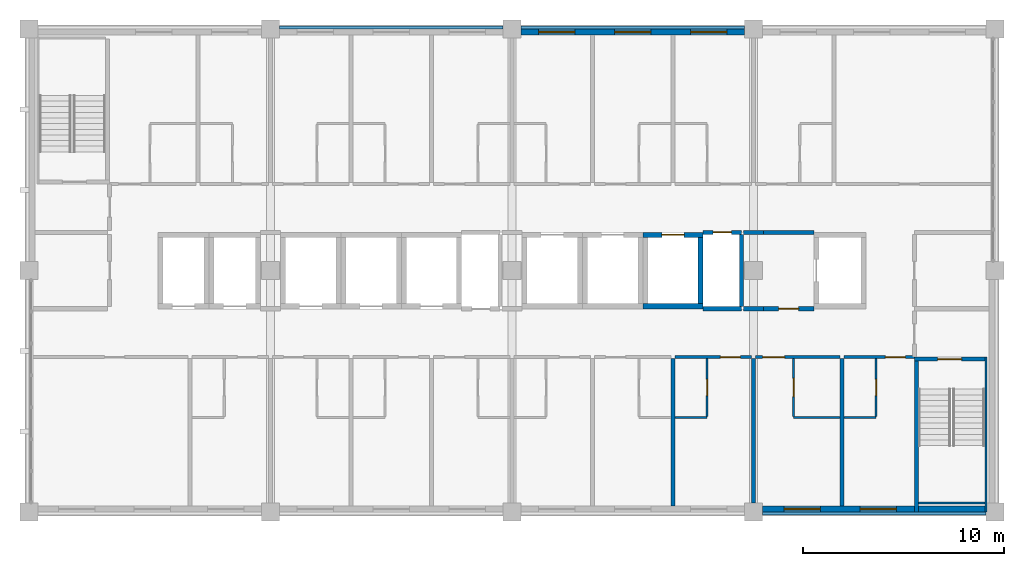
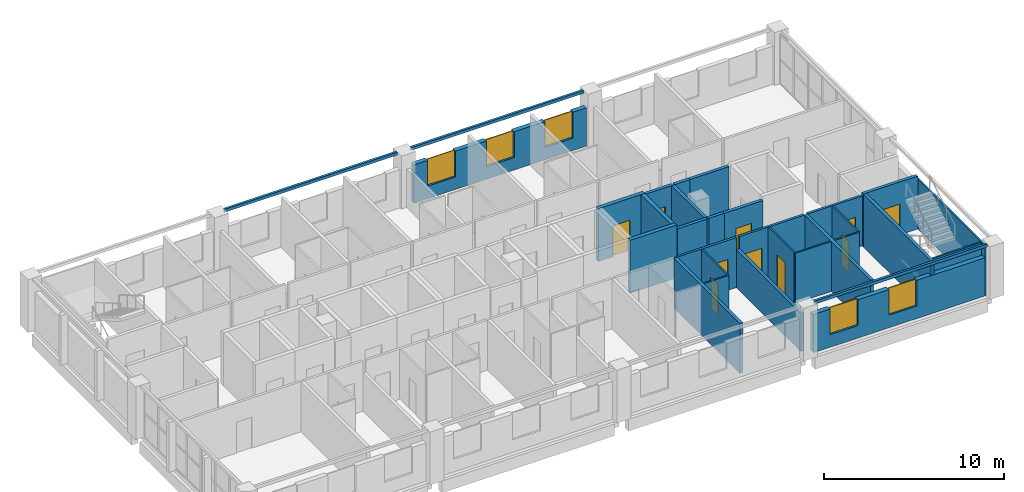
# One storey, part 9 of 11: 31 walls, 10 doors, 5 windows, 15 openings.
"""IFC4 building model written with IfcOpenShell, lengths in metres."""

from ifc_helpers import new_model, si_unit, direction, frame, frame_2d, origin, place, context, subcontext, project, spatial, rectangle, extrude, material, layer, layer_set, type_object, element, fill, save


model = new_model("IFC4")

# Units and contexts
model_context = context("Model", 3, precision=1e-05, world=origin(), true_north=direction((0.0, 1.0)))
body_context = subcontext(model_context, "Body", "Model", "MODEL_VIEW")
ifc_project = project(units=[si_unit("LENGTHUNIT", "METRE"), si_unit("AREAUNIT", "SQUARE_METRE"), si_unit("VOLUMEUNIT", "CUBIC_METRE"), si_unit("PLANEANGLEUNIT", "RADIAN"), si_unit("MASSUNIT", "GRAM", prefix="KILO")], contexts=[model_context])

# Site, building, storey
site_placement = place(None, origin())
site = spatial("IfcSite", under=ifc_project, at=site_placement, CompositionType="ELEMENT")
building_placement = place(site_placement, origin())
building = spatial("IfcBuilding", under=site, at=building_placement, Name="Lilac Gate Convention Centre", CompositionType="ELEMENT")
storey_placement = place(building_placement, frame((0.0, 0.0, 24.60009765625)))
storey = spatial("IfcBuildingStorey", under=building, at=storey_placement, Name="L05", CompositionType="ELEMENT", Elevation=24.60009765625)

# Walls
ifc_material_1 = material(Name="Concrete C60", Category="concrete")
ifc_layer_1 = layer(ifc_material_1, 0.10009765625)
ifc_layer_set_1 = layer_set([ifc_layer_1], Name="Concrete C60")
wall_type_1 = type_object("IfcWallType", Name="Core wall 100 C60", PredefinedType="SHEAR", material=ifc_layer_set_1)
wall_1_placement = place(storey_placement, frame((89.550048828125, 229.699951171875, 0.0), z_axis=(0.0, 0.0, 1.0), x_axis=(0.0, -1.0, 0.0)))
element("IfcWall", 1, at=wall_1_placement, inside=storey, type_object=wall_type_1, Name="CRW8 core wall TS-EX L05 1", PredefinedType="SHEAR", context=body_context, shape_type="SweptSolid", body=[
    extrude(rectangle(XDim=7.699951171875, YDim=0.10009765625, at=frame_2d((3.85009765625, 0.0))), origin(), (0.0, 0.0, 1.0), 3.39990234375),
])
wall_2_placement = place(storey_placement, frame((89.5, 222.449951171875, 0.0), z_axis=(0.0, 0.0, 1.0), x_axis=(-1.0, 0.0, 0.0)))
element("IfcWall", 2, at=wall_2_placement, inside=storey, type_object=wall_type_1, Name="CRW8 core wall TS-EX L05 2", PredefinedType="SHEAR", context=body_context, shape_type="SweptSolid", body=[
    extrude(rectangle(XDim=3.300048828125, YDim=0.10009765625, at=frame_2d((1.64990234375, 0.0))), origin(), (0.0, 0.0, 1.0), 3.39990234375),
])

# Wall, opening, door
ifc_layer_2 = layer(ifc_material_1, 0.199951171875)
ifc_layer_set_2 = layer_set([ifc_layer_2], Name="Concrete C60")
wall_type_2 = type_object("IfcWallType", Name="Core wall 200 C60", PredefinedType="SHEAR", material=ifc_layer_set_2)
wall_3_placement = place(storey_placement, frame((89.5, 229.60009765625, 0.0), z_axis=(0.0, 0.0, 1.0), x_axis=(-1.0, 0.0, 0.0)))
wall_3 = element("IfcWall", 3, at=wall_3_placement, inside=storey, type_object=wall_type_2, Name="CRW2 core wall TS-E L05 1", PredefinedType="SHEAR", context=body_context, shape_type="SweptSolid", body=[
    extrude(rectangle(XDim=3.5, YDim=0.199951171875, at=frame_2d((1.75, 0.0))), origin(), (0.0, 0.0, 1.0), 3.599853515625),
])
opening_1_placement = place(wall_3_placement, frame((1.14990234375, 0.0, 0.0)))
opening_1 = element("IfcOpeningElement", 4, at=opening_1_placement, cuts=wall_3, Name="Opening T04-056", PredefinedType="OPENING", context=body_context, shape_type="SweptSolid", body=[
    extrude(rectangle(XDim=1.199951171875, YDim=2.10009765625, at=frame_2d((0.60009765625, 1.050048828125))), frame((0.0, 0.10986328125, 0.0), z_axis=(0.0, -1.0, 0.0), x_axis=(1.0, 0.0, 0.0)), (0.0, 0.0, 1.0), 0.219970703125),
])
ifc_material_2 = material(Name="Steel Q235B", Category="steel")
door_type_1 = type_object("IfcDoorType", Name="Stair door 1200", OperationType="SINGLE_SWING_LEFT", PredefinedType="DOOR", material=ifc_material_2)
door_1_placement = place(opening_1_placement, origin())
door_1 = element("IfcDoor", 5, at=door_1_placement, inside=storey, type_object=door_type_1, Name="Stair door SE L05", OperationType="SINGLE_SWING_RIGHT", OverallHeight=2.10009765625, OverallWidth=1.199951171875, PredefinedType="DOOR", context=body_context, shape_type="SweptSolid", body=[
    extrude(rectangle(XDim=1.199951171875, YDim=2.10009765625, at=frame_2d((0.60009765625, 1.050048828125))), frame((0.0, 0.02490234375, 0.0), z_axis=(0.0, -1.0, 0.0), x_axis=(1.0, 0.0, 0.0)), (0.0, 0.0, 1.0), 0.050048828125),
])
fill(opening_1, door_1)

# Walls
wall_4_placement = place(storey_placement, frame((86.10009765625, 222.0, 0.0), z_axis=(0.0, 0.0, 1.0), x_axis=(0.0, 1.0, 0.0)))
element("IfcWall", 6, at=wall_4_placement, inside=storey, type_object=wall_type_2, Name="CRW2 core wall TS-E L05 2", PredefinedType="SHEAR", context=body_context, shape_type="SweptSolid", body=[
    extrude(rectangle(XDim=7.5, YDim=0.199951171875, at=frame_2d((3.75, 0.0))), origin(), (0.0, 0.0, 1.0), 3.599853515625),
])
ifc_layer_3 = layer(ifc_material_1, 0.25)
ifc_layer_set_3 = layer_set([ifc_layer_3], Name="Concrete C60")
wall_type_3 = type_object("IfcWallType", Name="Core wall 250 C60", PredefinedType="SHEAR", material=ifc_layer_set_3)
wall_5_placement = place(storey_placement, frame((72.5, 232.22509765625, 0.0), z_axis=(0.0, 0.0, 1.0), x_axis=(1.0, 0.0, 0.0)))
element("IfcWall", 7, at=wall_5_placement, inside=storey, type_object=wall_type_3, Name="CRW3 core wall TC L05 21", PredefinedType="SHEAR", context=body_context, shape_type="SweptSolid", body=[
    extrude(rectangle(XDim=3.0, YDim=0.25, at=frame_2d((1.5, 0.0))), origin(), (0.0, 0.0, 1.0), 3.599853515625),
])

# Wall, opening, door
wall_6_placement = place(storey_placement, frame((72.5, 235.77490234375, 0.0), z_axis=(0.0, 0.0, 1.0), x_axis=(1.0, 0.0, 0.0)))
wall_6 = element("IfcWall", 8, at=wall_6_placement, inside=storey, type_object=wall_type_3, Name="CRW3 core wall TC L05 22", PredefinedType="SHEAR", context=body_context, shape_type="SweptSolid", body=[
    extrude(rectangle(XDim=3.0, YDim=0.25, at=frame_2d((1.5, 0.0))), origin(), (0.0, 0.0, 1.0), 3.599853515625),
])
opening_2_placement = place(wall_6_placement, frame((0.949951171875, 0.0, 0.0)))
opening_2 = element("IfcOpeningElement", 9, at=opening_2_placement, cuts=wall_6, Name="Opening T04-051", PredefinedType="OPENING", context=body_context, shape_type="SweptSolid", body=[
    extrude(rectangle(XDim=1.10009765625, YDim=2.10009765625, at=frame_2d((0.550048828125, 1.050048828125))), frame((0.0, 0.135009765625, 0.0), z_axis=(0.0, -1.0, 0.0), x_axis=(1.0, 0.0, 0.0)), (0.0, 0.0, 1.0), 0.27001953125),
])
ifc_material_3 = material(Name="Stainless steel 304", Category="steel")
door_type_2 = type_object("IfcDoorType", Name="Lift landing door 1100", OperationType="SLIDING_TO_LEFT", PredefinedType="DOOR", material=ifc_material_3)
door_2_placement = place(opening_2_placement, origin())
door_2 = element("IfcDoor", 10, at=door_2_placement, inside=storey, type_object=door_type_2, Name="Lift landing door TP6 L05", OperationType="SLIDING_TO_LEFT", OverallHeight=2.10009765625, OverallWidth=1.10009765625, PredefinedType="DOOR", context=body_context, shape_type="SweptSolid", body=[
    extrude(rectangle(XDim=1.10009765625, YDim=2.10009765625, at=frame_2d((0.550048828125, 1.050048828125))), frame((0.0, 0.02490234375, 0.0), z_axis=(0.0, -1.0, 0.0), x_axis=(1.0, 0.0, 0.0)), (0.0, 0.0, 1.0), 0.050048828125),
])
fill(opening_2, door_2)

# Wall
wall_7_placement = place(storey_placement, frame((75.375, 232.35009765625, 0.0), z_axis=(0.0, 0.0, 1.0), x_axis=(0.0, 1.0, 0.0)))
element("IfcWall", 11, at=wall_7_placement, inside=storey, type_object=wall_type_3, Name="CRW3 core wall TC L05 24", PredefinedType="SHEAR", context=body_context, shape_type="SweptSolid", body=[
    extrude(rectangle(XDim=3.2998046875, YDim=0.25, at=frame_2d((1.64990234375, 0.0))), origin(), (0.0, 0.0, 1.0), 3.599853515625),
])

# Wall, opening, door
ifc_material_4 = material(Name="Gypsum board on steel stud", Category="steel")
ifc_layer_4 = layer(ifc_material_4, 0.14990234375)
ifc_layer_set_4 = layer_set([ifc_layer_4], Name="Gypsum board on steel stud")
wall_type_4 = type_object("IfcWallType", Name="Corridor wall 150", PredefinedType="PARTITIONING", material=ifc_layer_set_4)
wall_8_placement = place(storey_placement, frame((77.89990234375, 229.699951171875, 0.0), z_axis=(0.0, 0.0, 1.0), x_axis=(-1.0, 0.0, 0.0)))
wall_8 = element("IfcWall", 12, at=wall_8_placement, inside=storey, type_object=wall_type_4, Name="Corridor wall 150 front 0508", PredefinedType="PARTITIONING", context=body_context, shape_type="SweptSolid", body=[
    extrude(rectangle(XDim=3.7998046875, YDim=0.14990234375, at=frame_2d((1.89990234375, 0.0))), origin(), (0.0, 0.0, 1.0), 3.39990234375),
])
opening_3_placement = place(wall_8_placement, frame((0.550048828125, 0.0, 0.0)))
opening_3 = element("IfcOpeningElement", 13, at=opening_3_placement, cuts=wall_8, Name="Opening T04-021", PredefinedType="OPENING", context=body_context, shape_type="SweptSolid", body=[
    extrude(rectangle(XDim=1.0, YDim=2.10009765625, at=frame_2d((0.5, 1.050048828125))), frame((0.0, 0.0849609375, 0.0), z_axis=(0.0, -1.0, 0.0), x_axis=(1.0, 0.0, 0.0)), (0.0, 0.0, 1.0), 0.169921875),
])
ifc_material_5 = material(Name="Timber", Category="wood")
door_type_3 = type_object("IfcDoorType", Name="Guest room entrance door 1000", OperationType="SINGLE_SWING_LEFT", PredefinedType="DOOR", material=ifc_material_5)
door_3_placement = place(opening_3_placement, origin())
door_3 = element("IfcDoor", 14, at=door_3_placement, inside=storey, type_object=door_type_3, Name="Guest room door 0508", OperationType="SINGLE_SWING_LEFT", OverallHeight=2.10009765625, OverallWidth=1.0, PredefinedType="DOOR", context=body_context, shape_type="SweptSolid", body=[
    extrude(rectangle(XDim=1.0, YDim=2.10009765625, at=frame_2d((0.5, 1.050048828125))), frame((0.0, 0.02490234375, 0.0), z_axis=(0.0, -1.0, 0.0), x_axis=(1.0, 0.0, 0.0)), (0.0, 0.0, 1.0), 0.050048828125),
])
fill(opening_3, door_3)

wall_9_placement = place(storey_placement, frame((82.300048828125, 229.699951171875, 0.0), z_axis=(0.0, 0.0, 1.0), x_axis=(-1.0, 0.0, 0.0)))
wall_9 = element("IfcWall", 15, at=wall_9_placement, inside=storey, type_object=wall_type_4, Name="Corridor wall 150 front 0509", PredefinedType="PARTITIONING", context=body_context, shape_type="SweptSolid", body=[
    extrude(rectangle(XDim=4.199951171875, YDim=0.14990234375, at=frame_2d((2.10009765625, 0.0))), origin(), (0.0, 0.0, 1.0), 3.39990234375),
])
opening_4_placement = place(wall_9_placement, frame((2.75, 0.0, 0.0)))
opening_4 = element("IfcOpeningElement", 16, at=opening_4_placement, cuts=wall_9, Name="Opening T04-023", PredefinedType="OPENING", context=body_context, shape_type="SweptSolid", body=[
    extrude(rectangle(XDim=1.10009765625, YDim=2.10009765625, at=frame_2d((0.550048828125, 1.050048828125))), frame((0.0, 0.0849609375, 0.0), z_axis=(0.0, -1.0, 0.0), x_axis=(1.0, 0.0, 0.0)), (0.0, 0.0, 1.0), 0.169921875),
])
door_type_4 = type_object("IfcDoorType", Name="Accessible entrance door 1100", OperationType="SINGLE_SWING_LEFT", PredefinedType="DOOR", material=ifc_material_5)
door_4_placement = place(opening_4_placement, origin())
door_4 = element("IfcDoor", 17, at=door_4_placement, inside=storey, type_object=door_type_4, Name="Guest room door 0509", OperationType="SINGLE_SWING_RIGHT", OverallHeight=2.10009765625, OverallWidth=1.10009765625, PredefinedType="DOOR", context=body_context, shape_type="SweptSolid", body=[
    extrude(rectangle(XDim=1.10009765625, YDim=2.10009765625, at=frame_2d((0.550048828125, 1.050048828125))), frame((0.0, 0.02490234375, 0.0), z_axis=(0.0, -1.0, 0.0), x_axis=(1.0, 0.0, 0.0)), (0.0, 0.0, 1.0), 0.050048828125),
])
fill(opening_4, door_4)

wall_10_placement = place(storey_placement, frame((86.0, 229.699951171875, 0.0), z_axis=(0.0, 0.0, 1.0), x_axis=(-1.0, 0.0, 0.0)))
wall_10 = element("IfcWall", 18, at=wall_10_placement, inside=storey, type_object=wall_type_4, Name="Corridor wall 150 front 0510", PredefinedType="PARTITIONING", context=body_context, shape_type="SweptSolid", body=[
    extrude(rectangle(XDim=3.5, YDim=0.14990234375, at=frame_2d((1.75, 0.0))), origin(), (0.0, 0.0, 1.0), 3.39990234375),
])
opening_5_placement = place(wall_10_placement, frame((0.449951171875, 0.0, 0.0)))
opening_5 = element("IfcOpeningElement", 19, at=opening_5_placement, cuts=wall_10, Name="Opening T04-025", PredefinedType="OPENING", context=body_context, shape_type="SweptSolid", body=[
    extrude(rectangle(XDim=1.0, YDim=2.10009765625, at=frame_2d((0.5, 1.050048828125))), frame((0.0, 0.0849609375, 0.0), z_axis=(0.0, -1.0, 0.0), x_axis=(1.0, 0.0, 0.0)), (0.0, 0.0, 1.0), 0.169921875),
])
door_5_placement = place(opening_5_placement, origin())
door_5 = element("IfcDoor", 20, at=door_5_placement, inside=storey, type_object=door_type_3, Name="Guest room door 0510", OperationType="SINGLE_SWING_LEFT", OverallHeight=2.10009765625, OverallWidth=1.0, PredefinedType="DOOR", context=body_context, shape_type="SweptSolid", body=[
    extrude(rectangle(XDim=1.0, YDim=2.10009765625, at=frame_2d((0.5, 1.050048828125))), frame((0.0, 0.02490234375, 0.0), z_axis=(0.0, -1.0, 0.0), x_axis=(1.0, 0.0, 0.0)), (0.0, 0.0, 1.0), 0.050048828125),
])
fill(opening_5, door_5)

# Wall
ifc_layer_5 = layer(ifc_material_4, 0.10009765625)
ifc_layer_set_5 = layer_set([ifc_layer_5], Name="Gypsum board on steel stud")
wall_type_5 = type_object("IfcWallType", Name="En-suite wall 100", PredefinedType="PARTITIONING", material=ifc_layer_set_5)
wall_11_placement = place(storey_placement, frame((74.10009765625, 226.699951171875, 0.0), z_axis=(0.0, 0.0, 1.0), x_axis=(1.0, 0.0, 0.0)))
element("IfcWall", 21, at=wall_11_placement, inside=storey, type_object=wall_type_5, Name="En-suite wall 100 bath 0508", PredefinedType="PARTITIONING", context=body_context, shape_type="SweptSolid", body=[
    extrude(rectangle(XDim=1.599853515625, YDim=0.10009765625, at=frame_2d((0.7998046875, 0.0))), origin(), (0.0, 0.0, 1.0), 3.39990234375),
])

# Wall, opening, door
wall_12_placement = place(storey_placement, frame((75.699951171875, 229.625, 0.0), z_axis=(0.0, 0.0, 1.0), x_axis=(0.0, -1.0, 0.0)))
wall_12 = element("IfcWall", 22, at=wall_12_placement, inside=storey, type_object=wall_type_5, Name="En-suite wall 100 bath side 0508", PredefinedType="PARTITIONING", context=body_context, shape_type="SweptSolid", body=[
    extrude(rectangle(XDim=2.875, YDim=0.10009765625, at=frame_2d((1.4375, 0.0))), origin(), (0.0, 0.0, 1.0), 3.39990234375),
])
opening_6_placement = place(wall_12_placement, frame((1.03759765625, 0.0, 0.0)))
opening_6 = element("IfcOpeningElement", 23, at=opening_6_placement, cuts=wall_12, Name="Opening T04-022", PredefinedType="OPENING", context=body_context, shape_type="SweptSolid", body=[
    extrude(rectangle(XDim=0.800048828125, YDim=2.10009765625, at=frame_2d((0.39990234375, 1.050048828125))), frame((0.0, 0.06005859375, 0.0), z_axis=(0.0, -1.0, 0.0), x_axis=(1.0, 0.0, 0.0)), (0.0, 0.0, 1.0), 0.1201171875),
])
door_type_5 = type_object("IfcDoorType", Name="En-suite door 800", OperationType="SINGLE_SWING_LEFT", PredefinedType="DOOR", material=ifc_material_5)
door_6_placement = place(opening_6_placement, origin())
door_6 = element("IfcDoor", 24, at=door_6_placement, inside=storey, type_object=door_type_5, Name="En-suite door 0508", OperationType="SINGLE_SWING_LEFT", OverallHeight=2.10009765625, OverallWidth=0.800048828125, PredefinedType="DOOR", context=body_context, shape_type="SweptSolid", body=[
    extrude(rectangle(XDim=0.800048828125, YDim=2.10009765625, at=frame_2d((0.39990234375, 1.050048828125))), frame((0.0, 0.02490234375, 0.0), z_axis=(0.0, -1.0, 0.0), x_axis=(1.0, 0.0, 0.0)), (0.0, 0.0, 1.0), 0.050048828125),
])
fill(opening_6, door_6)

# Wall
wall_13_placement = place(storey_placement, frame((80.0, 226.699951171875, 0.0), z_axis=(0.0, 0.0, 1.0), x_axis=(1.0, 0.0, 0.0)))
element("IfcWall", 25, at=wall_13_placement, inside=storey, type_object=wall_type_5, Name="En-suite wall 100 bath 0509", PredefinedType="PARTITIONING", context=body_context, shape_type="SweptSolid", body=[
    extrude(rectangle(XDim=2.300048828125, YDim=0.10009765625, at=frame_2d((1.14990234375, 0.0))), origin(), (0.0, 0.0, 1.0), 3.39990234375),
])

# Wall, opening, door
wall_14_placement = place(storey_placement, frame((80.0, 226.75, 0.0), z_axis=(0.0, 0.0, 1.0), x_axis=(0.0, 1.0, 0.0)))
wall_14 = element("IfcWall", 26, at=wall_14_placement, inside=storey, type_object=wall_type_5, Name="En-suite wall 100 bath side 0509", PredefinedType="PARTITIONING", context=body_context, shape_type="SweptSolid", body=[
    extrude(rectangle(XDim=2.875, YDim=0.10009765625, at=frame_2d((1.4375, 0.0))), origin(), (0.0, 0.0, 1.0), 3.39990234375),
])
opening_7_placement = place(wall_14_placement, frame((0.987548828125, 0.0, 0.0)))
opening_7 = element("IfcOpeningElement", 27, at=opening_7_placement, cuts=wall_14, Name="Opening T04-024", PredefinedType="OPENING", context=body_context, shape_type="SweptSolid", body=[
    extrude(rectangle(XDim=0.89990234375, YDim=2.10009765625, at=frame_2d((0.449951171875, 1.050048828125))), frame((0.0, 0.06005859375, 0.0), z_axis=(0.0, -1.0, 0.0), x_axis=(1.0, 0.0, 0.0)), (0.0, 0.0, 1.0), 0.1201171875),
])
door_type_6 = type_object("IfcDoorType", Name="Accessible en-suite door 900", OperationType="SINGLE_SWING_LEFT", PredefinedType="DOOR", material=ifc_material_5)
door_7_placement = place(opening_7_placement, origin())
door_7 = element("IfcDoor", 28, at=door_7_placement, inside=storey, type_object=door_type_6, Name="En-suite door 0509", OperationType="SINGLE_SWING_RIGHT", OverallHeight=2.10009765625, OverallWidth=0.89990234375, PredefinedType="DOOR", context=body_context, shape_type="SweptSolid", body=[
    extrude(rectangle(XDim=0.89990234375, YDim=2.10009765625, at=frame_2d((0.449951171875, 1.050048828125))), frame((0.0, 0.02490234375, 0.0), z_axis=(0.0, -1.0, 0.0), x_axis=(1.0, 0.0, 0.0)), (0.0, 0.0, 1.0), 0.050048828125),
])
fill(opening_7, door_7)

# Wall
wall_15_placement = place(storey_placement, frame((82.5, 226.699951171875, 0.0), z_axis=(0.0, 0.0, 1.0), x_axis=(1.0, 0.0, 0.0)))
element("IfcWall", 29, at=wall_15_placement, inside=storey, type_object=wall_type_5, Name="En-suite wall 100 bath 0510", PredefinedType="PARTITIONING", context=body_context, shape_type="SweptSolid", body=[
    extrude(rectangle(XDim=1.60009765625, YDim=0.10009765625, at=frame_2d((0.800048828125, 0.0))), origin(), (0.0, 0.0, 1.0), 3.39990234375),
])

# Wall, opening, door
wall_16_placement = place(storey_placement, frame((84.10009765625, 229.625, 0.0), z_axis=(0.0, 0.0, 1.0), x_axis=(0.0, -1.0, 0.0)))
wall_16 = element("IfcWall", 30, at=wall_16_placement, inside=storey, type_object=wall_type_5, Name="En-suite wall 100 bath side 0510", PredefinedType="PARTITIONING", context=body_context, shape_type="SweptSolid", body=[
    extrude(rectangle(XDim=2.875, YDim=0.10009765625, at=frame_2d((1.4375, 0.0))), origin(), (0.0, 0.0, 1.0), 3.39990234375),
])
opening_8_placement = place(wall_16_placement, frame((1.03759765625, 0.0, 0.0)))
opening_8 = element("IfcOpeningElement", 31, at=opening_8_placement, cuts=wall_16, Name="Opening T04-026", PredefinedType="OPENING", context=body_context, shape_type="SweptSolid", body=[
    extrude(rectangle(XDim=0.800048828125, YDim=2.10009765625, at=frame_2d((0.39990234375, 1.050048828125))), frame((0.0, 0.06005859375, 0.0), z_axis=(0.0, -1.0, 0.0), x_axis=(1.0, 0.0, 0.0)), (0.0, 0.0, 1.0), 0.1201171875),
])
door_8_placement = place(opening_8_placement, origin())
door_8 = element("IfcDoor", 32, at=door_8_placement, inside=storey, type_object=door_type_5, Name="En-suite door 0510", OperationType="SINGLE_SWING_LEFT", OverallHeight=2.10009765625, OverallWidth=0.800048828125, PredefinedType="DOOR", context=body_context, shape_type="SweptSolid", body=[
    extrude(rectangle(XDim=0.800048828125, YDim=2.10009765625, at=frame_2d((0.39990234375, 1.050048828125))), frame((0.0, 0.02490234375, 0.0), z_axis=(0.0, -1.0, 0.0), x_axis=(1.0, 0.0, 0.0)), (0.0, 0.0, 1.0), 0.050048828125),
])
fill(opening_8, door_8)

# Walls
ifc_layer_6 = layer(ifc_material_4, 0.199951171875)
ifc_layer_set_6 = layer_set([ifc_layer_6], Name="Gypsum board on steel stud")
wall_type_6 = type_object("IfcWallType", Name="Guest room party wall 200", PredefinedType="PARTITIONING", material=ifc_layer_set_6)
wall_17_placement = place(storey_placement, frame((74.0, 222.2998046875, 0.0), z_axis=(0.0, 0.0, 1.0), x_axis=(0.0, 1.0, 0.0)))
element("IfcWall", 33, at=wall_17_placement, inside=storey, type_object=wall_type_6, Name="Guest room party wall 200 party 74.0", PredefinedType="PARTITIONING", context=body_context, shape_type="SweptSolid", body=[
    extrude(rectangle(XDim=7.3251953125, YDim=0.199951171875, at=frame_2d((3.66259765625, 0.0))), origin(), (0.0, 0.0, 1.0), 3.39990234375),
])
wall_18_placement = place(storey_placement, frame((78.0, 222.449951171875, 0.0), z_axis=(0.0, 0.0, 1.0), x_axis=(0.0, 1.0, 0.0)))
element("IfcWall", 34, at=wall_18_placement, inside=storey, type_object=wall_type_6, Name="Guest room party wall 200 party 78.0", PredefinedType="PARTITIONING", context=body_context, shape_type="SweptSolid", body=[
    extrude(rectangle(XDim=7.175048828125, YDim=0.199951171875, at=frame_2d((3.58740234375, 0.0))), origin(), (0.0, 0.0, 1.0), 2.599853515625),
])
wall_19_placement = place(storey_placement, frame((82.39990234375, 222.2998046875, 0.0), z_axis=(0.0, 0.0, 1.0), x_axis=(0.0, 1.0, 0.0)))
element("IfcWall", 35, at=wall_19_placement, inside=storey, type_object=wall_type_6, Name="Guest room party wall 200 party 82.4", PredefinedType="PARTITIONING", context=body_context, shape_type="SweptSolid", body=[
    extrude(rectangle(XDim=7.3251953125, YDim=0.199951171875, at=frame_2d((3.66259765625, 0.0))), origin(), (0.0, 0.0, 1.0), 3.39990234375),
])

# Wall, opening, door
ifc_layer_7 = layer(ifc_material_4, 0.199951171875)
ifc_layer_set_7 = layer_set([ifc_layer_7], Name="Gypsum board on steel stud")
wall_type_7 = type_object("IfcWallType", Name="Lobby wall 200", PredefinedType="PARTITIONING", material=ifc_layer_set_7)
wall_20_placement = place(storey_placement, frame((78.5, 232.10009765625, 0.0), z_axis=(0.0, 0.0, 1.0), x_axis=(1.0, 0.0, 0.0)))
wall_20 = element("IfcWall", 36, at=wall_20_placement, inside=storey, type_object=wall_type_7, Name="Lobby wall 200 FFL-S", PredefinedType="PARTITIONING", context=body_context, shape_type="SweptSolid", body=[
    extrude(rectangle(XDim=2.5, YDim=0.199951171875, at=frame_2d((1.25, 0.0))), origin(), (0.0, 0.0, 1.0), 3.39990234375),
])
opening_9_placement = place(wall_20_placement, frame((0.75, 0.0, 0.0)))
opening_9 = element("IfcOpeningElement", 37, at=opening_9_placement, cuts=wall_20, Name="Opening T04-004", PredefinedType="OPENING", context=body_context, shape_type="SweptSolid", body=[
    extrude(rectangle(XDim=1.0, YDim=2.10009765625, at=frame_2d((0.5, 1.050048828125))), frame((0.0, 0.10986328125, 0.0), z_axis=(0.0, -1.0, 0.0), x_axis=(1.0, 0.0, 0.0)), (0.0, 0.0, 1.0), 0.219970703125),
])
door_type_7 = type_object("IfcDoorType", Name="Lobby door 1000", OperationType="SINGLE_SWING_LEFT", PredefinedType="DOOR", material=ifc_material_2)
door_9_placement = place(opening_9_placement, origin())
door_9 = element("IfcDoor", 38, at=door_9_placement, inside=storey, type_object=door_type_7, Name="Firefighting lobby door", OperationType="SINGLE_SWING_RIGHT", OverallHeight=2.10009765625, OverallWidth=1.0, PredefinedType="DOOR", context=body_context, shape_type="SweptSolid", body=[
    extrude(rectangle(XDim=1.0, YDim=2.10009765625, at=frame_2d((0.5, 1.050048828125))), frame((0.0, 0.02490234375, 0.0), z_axis=(0.0, -1.0, 0.0), x_axis=(1.0, 0.0, 0.0)), (0.0, 0.0, 1.0), 0.050048828125),
])
fill(opening_9, door_9)

# Walls
wall_21_placement = place(storey_placement, frame((78.5, 235.89990234375, 0.0), z_axis=(0.0, 0.0, 1.0), x_axis=(1.0, 0.0, 0.0)))
element("IfcWall", 39, at=wall_21_placement, inside=storey, type_object=wall_type_7, Name="Lobby wall 200 FFL-N", PredefinedType="PARTITIONING", context=body_context, shape_type="SweptSolid", body=[
    extrude(rectangle(XDim=2.5, YDim=0.199951171875, at=frame_2d((1.25, 0.0))), origin(), (0.0, 0.0, 1.0), 3.39990234375),
])
ifc_material_6 = material(Name="Concrete C40 precast", Category="concrete")
ifc_layer_8 = layer(ifc_material_6, 0.1298828125)
ifc_material_7 = material(Name="Ochre mineral render")
ifc_layer_9 = layer(ifc_material_7, 0.02001953125)
ifc_layer_set_8 = layer_set([ifc_layer_8, ifc_layer_9], Name="Concrete C40 precast, Ochre mineral render")
wall_type_8 = type_object("IfcWallType", Name="Precast band ochre 150", PredefinedType="STANDARD", material=ifc_layer_set_8)
for number, where, z_axis, x_axis, name in (
    (40, (78.449951171875, 221.925048828125, 3.39990234375), (0.0, 0.0, 1.0), (1.0, 0.0, 0.0), "Precast band S L05 4"),
    (41, (77.550048828125, 246.074951171875, 3.39990234375), (0.0, 0.0, 1.0), (-1.0, 0.0, 0.0), "Precast band N L05 2"),
    (42, (65.550048828125, 246.074951171875, 3.39990234375), (0.0, 0.0, 1.0), (-1.0, 0.0, 0.0), "Precast band N L05 3"),
):
    element("IfcWall", number, at=place(storey_placement, frame(where, z_axis=z_axis, x_axis=x_axis)), inside=storey, type_object=wall_type_8, Name=name, PredefinedType="STANDARD", context=body_context, shape_type="SweptSolid", body=[
        extrude(rectangle(XDim=11.10009765625, YDim=0.14990234375, at=frame_2d((5.550048828125, 0.0))), origin(), (0.0, 0.0, 1.0), 0.199951171875),
    ])

# Wall, openings, windows
ifc_layer_10 = layer(ifc_material_7, 0.02001953125)
ifc_layer_11 = layer(ifc_material_6, 0.06005859375)
ifc_material_8 = material(Name="Ventilated air cavity")
ifc_layer_12 = layer(ifc_material_8, 0.030029296875)
ifc_material_9 = material(Name="Mineral wool insulation")
ifc_layer_13 = layer(ifc_material_9, 0.1201171875)
ifc_material_10 = material(Name="Steel stud Q345 and gypsum lining", Category="steel")
ifc_layer_14 = layer(ifc_material_10, 0.070068359375)
ifc_layer_set_9 = layer_set([ifc_layer_10, ifc_layer_11, ifc_layer_12, ifc_layer_13, ifc_layer_14], Name="Ochre mineral render, Concrete C40 precast, Ventilated air cavity, Mineral wool insulation, Steel stud Q345 and gypsum lining")
wall_type_9 = type_object("IfcWallType", Name="Precast panel wall ochre 300", PredefinedType="STANDARD", material=ifc_layer_set_9)
wall_22_placement = place(storey_placement, frame((78.449951171875, 222.14990234375, 0.0), z_axis=(0.0, 0.0, 1.0), x_axis=(1.0, 0.0, 0.0)))
wall_22 = element("IfcWall", 43, at=wall_22_placement, inside=storey, type_object=wall_type_9, Name="External wall S L05 4", PredefinedType="STANDARD", context=body_context, shape_type="SweptSolid", body=[
    extrude(rectangle(XDim=11.10009765625, YDim=0.300048828125, at=frame_2d((5.550048828125, 0.0))), origin(), (0.0, 0.0, 1.0), 2.599853515625),
])
opening_10_placement = place(wall_22_placement, frame((1.074951171875, 0.0, 0.85009765625)))
opening_10 = element("IfcOpeningElement", 44, at=opening_10_placement, cuts=wall_22, Name="Opening W1", PredefinedType="OPENING", context=body_context, shape_type="SweptSolid", body=[
    extrude(rectangle(XDim=1.800048828125, YDim=1.75, at=frame_2d((0.89990234375, 0.875))), frame((0.0, 0.159912109375, 0.0), z_axis=(0.0, -1.0, 0.0), x_axis=(1.0, 0.0, 0.0)), (0.0, 0.0, 1.0), 0.320068359375),
])
opening_11_placement = place(wall_22_placement, frame((4.85009765625, 0.0, 0.85009765625)))
opening_11 = element("IfcOpeningElement", 45, at=opening_11_placement, cuts=wall_22, Name="Opening W1", PredefinedType="OPENING", context=body_context, shape_type="SweptSolid", body=[
    extrude(rectangle(XDim=1.800048828125, YDim=1.75, at=frame_2d((0.89990234375, 0.875))), frame((0.0, 0.159912109375, 0.0), z_axis=(0.0, -1.0, 0.0), x_axis=(1.0, 0.0, 0.0)), (0.0, 0.0, 1.0), 0.320068359375),
])
ifc_material_11 = material(Name="Aluminium framed double glazing", Category="aluminium")
window_type = type_object("IfcWindowType", Name="Guest room window 1800 x 1750", PartitioningType="DOUBLE_PANEL_VERTICAL", PredefinedType="WINDOW", material=ifc_material_11)
window_1_placement = place(opening_10_placement, origin())
window_1 = element("IfcWindow", 46, at=window_1_placement, inside=storey, type_object=window_type, Name="Window Guest S L05", OverallHeight=1.75, OverallWidth=1.800048828125, PartitioningType="SINGLE_PANEL", PredefinedType="WINDOW", context=body_context, shape_type="SweptSolid", body=[
    extrude(rectangle(XDim=1.800048828125, YDim=1.75, at=frame_2d((0.89990234375, 0.875))), frame((0.0, 0.030029296875, 0.0), z_axis=(0.0, -1.0, 0.0), x_axis=(1.0, 0.0, 0.0)), (0.0, 0.0, 1.0), 0.06005859375),
])
fill(opening_10, window_1)
window_2_placement = place(opening_11_placement, origin())
window_2 = element("IfcWindow", 47, at=window_2_placement, inside=storey, type_object=window_type, Name="Window Guest S L05", OverallHeight=1.75, OverallWidth=1.800048828125, PartitioningType="SINGLE_PANEL", PredefinedType="WINDOW", context=body_context, shape_type="SweptSolid", body=[
    extrude(rectangle(XDim=1.800048828125, YDim=1.75, at=frame_2d((0.89990234375, 0.875))), frame((0.0, 0.030029296875, 0.0), z_axis=(0.0, -1.0, 0.0), x_axis=(1.0, 0.0, 0.0)), (0.0, 0.0, 1.0), 0.06005859375),
])
fill(opening_11, window_2)

wall_23_placement = place(storey_placement, frame((77.550048828125, 245.85009765625, 0.0), z_axis=(0.0, 0.0, 1.0), x_axis=(-1.0, 0.0, 0.0)))
wall_23 = element("IfcWall", 48, at=wall_23_placement, inside=storey, type_object=wall_type_9, Name="External wall N L05 2", PredefinedType="STANDARD", context=body_context, shape_type="SweptSolid", body=[
    extrude(rectangle(XDim=11.10009765625, YDim=0.300048828125, at=frame_2d((5.550048828125, 0.0))), origin(), (0.0, 0.0, 1.0), 2.599853515625),
])
opening_12_placement = place(wall_23_placement, frame((8.425048828125, 0.0, 0.85009765625)))
opening_12 = element("IfcOpeningElement", 49, at=opening_12_placement, cuts=wall_23, Name="Opening W1", PredefinedType="OPENING", context=body_context, shape_type="SweptSolid", body=[
    extrude(rectangle(XDim=1.800048828125, YDim=1.75, at=frame_2d((0.89990234375, 0.875))), frame((0.0, 0.159912109375, 0.0), z_axis=(0.0, -1.0, 0.0), x_axis=(1.0, 0.0, 0.0)), (0.0, 0.0, 1.0), 0.320068359375),
])
opening_13_placement = place(wall_23_placement, frame((4.64990234375, 0.0, 0.85009765625)))
opening_13 = element("IfcOpeningElement", 50, at=opening_13_placement, cuts=wall_23, Name="Opening W1", PredefinedType="OPENING", context=body_context, shape_type="SweptSolid", body=[
    extrude(rectangle(XDim=1.800048828125, YDim=1.75, at=frame_2d((0.89990234375, 0.875))), frame((0.0, 0.159912109375, 0.0), z_axis=(0.0, -1.0, 0.0), x_axis=(1.0, 0.0, 0.0)), (0.0, 0.0, 1.0), 0.320068359375),
])
opening_14_placement = place(wall_23_placement, frame((0.875, 0.0, 0.85009765625)))
opening_14 = element("IfcOpeningElement", 51, at=opening_14_placement, cuts=wall_23, Name="Opening W1", PredefinedType="OPENING", context=body_context, shape_type="SweptSolid", body=[
    extrude(rectangle(XDim=1.800048828125, YDim=1.75, at=frame_2d((0.89990234375, 0.875))), frame((0.0, 0.159912109375, 0.0), z_axis=(0.0, -1.0, 0.0), x_axis=(1.0, 0.0, 0.0)), (0.0, 0.0, 1.0), 0.320068359375),
])
window_3_placement = place(opening_12_placement, origin())
window_3 = element("IfcWindow", 52, at=window_3_placement, inside=storey, type_object=window_type, Name="Window Guest N L05", OverallHeight=1.75, OverallWidth=1.800048828125, PartitioningType="SINGLE_PANEL", PredefinedType="WINDOW", context=body_context, shape_type="SweptSolid", body=[
    extrude(rectangle(XDim=1.800048828125, YDim=1.75, at=frame_2d((0.89990234375, 0.875))), frame((0.0, 0.030029296875, 0.0), z_axis=(0.0, -1.0, 0.0), x_axis=(1.0, 0.0, 0.0)), (0.0, 0.0, 1.0), 0.06005859375),
])
fill(opening_12, window_3)
window_4_placement = place(opening_13_placement, origin())
window_4 = element("IfcWindow", 53, at=window_4_placement, inside=storey, type_object=window_type, Name="Window Guest N L05", OverallHeight=1.75, OverallWidth=1.800048828125, PartitioningType="SINGLE_PANEL", PredefinedType="WINDOW", context=body_context, shape_type="SweptSolid", body=[
    extrude(rectangle(XDim=1.800048828125, YDim=1.75, at=frame_2d((0.89990234375, 0.875))), frame((0.0, 0.030029296875, 0.0), z_axis=(0.0, -1.0, 0.0), x_axis=(1.0, 0.0, 0.0)), (0.0, 0.0, 1.0), 0.06005859375),
])
fill(opening_13, window_4)
window_5_placement = place(opening_14_placement, origin())
window_5 = element("IfcWindow", 54, at=window_5_placement, inside=storey, type_object=window_type, Name="Window Guest N L05", OverallHeight=1.75, OverallWidth=1.800048828125, PartitioningType="SINGLE_PANEL", PredefinedType="WINDOW", context=body_context, shape_type="SweptSolid", body=[
    extrude(rectangle(XDim=1.800048828125, YDim=1.75, at=frame_2d((0.89990234375, 0.875))), frame((0.0, 0.030029296875, 0.0), z_axis=(0.0, -1.0, 0.0), x_axis=(1.0, 0.0, 0.0)), (0.0, 0.0, 1.0), 0.06005859375),
])
fill(opening_14, window_5)

# Walls
ifc_layer_15 = layer(ifc_material_4, 0.199951171875)
ifc_layer_set_10 = layer_set([ifc_layer_15], Name="Gypsum board on steel stud")
wall_type_10 = type_object("IfcWallType", Name="Riser and store wall 200", PredefinedType="PARTITIONING", material=ifc_layer_set_10)
wall_24_placement = place(storey_placement, frame((75.5, 232.10009765625, 0.0), z_axis=(0.0, 0.0, 1.0), x_axis=(1.0, 0.0, 0.0)))
element("IfcWall", 55, at=wall_24_placement, inside=storey, type_object=wall_type_10, Name="Riser and store wall 200 RS2-S", PredefinedType="PARTITIONING", context=body_context, shape_type="SweptSolid", body=[
    extrude(rectangle(XDim=1.89990234375, YDim=0.199951171875, at=frame_2d((0.949951171875, 0.0))), origin(), (0.0, 0.0, 1.0), 3.39990234375),
])
wall_25_placement = place(storey_placement, frame((77.5, 232.10009765625, 0.0), z_axis=(0.0, 0.0, 1.0), x_axis=(1.0, 0.0, 0.0)))
element("IfcWall", 56, at=wall_25_placement, inside=storey, type_object=wall_type_10, Name="Riser and store wall 200 NICHE3-S", PredefinedType="PARTITIONING", context=body_context, shape_type="SweptSolid", body=[
    extrude(rectangle(XDim=1.0, YDim=0.199951171875, at=frame_2d((0.5, 0.0))), origin(), (0.0, 0.0, 1.0), 3.39990234375),
])

# Wall, opening, door
wall_26_placement = place(storey_placement, frame((77.39990234375, 235.89990234375, 0.0), z_axis=(0.0, 0.0, 1.0), x_axis=(-1.0, 0.0, 0.0)))
wall_26 = element("IfcWall", 57, at=wall_26_placement, inside=storey, type_object=wall_type_10, Name="Riser and store wall 200 RS2-N", PredefinedType="PARTITIONING", context=body_context, shape_type="SweptSolid", body=[
    extrude(rectangle(XDim=1.89990234375, YDim=0.199951171875, at=frame_2d((0.949951171875, 0.0))), origin(), (0.0, 0.0, 1.0), 3.39990234375),
])
opening_15_placement = place(wall_26_placement, frame((0.5, 0.0, 0.0)))
opening_15 = element("IfcOpeningElement", 58, at=opening_15_placement, cuts=wall_26, Name="Opening T04-003", PredefinedType="OPENING", context=body_context, shape_type="SweptSolid", body=[
    extrude(rectangle(XDim=0.89990234375, YDim=2.10009765625, at=frame_2d((0.449951171875, 1.050048828125))), frame((0.0, 0.10986328125, 0.0), z_axis=(0.0, -1.0, 0.0), x_axis=(1.0, 0.0, 0.0)), (0.0, 0.0, 1.0), 0.219970703125),
])
door_type_8 = type_object("IfcDoorType", Name="Riser and store door 900", OperationType="SINGLE_SWING_LEFT", PredefinedType="DOOR", material=ifc_material_2)
door_10_placement = place(opening_15_placement, origin())
door_10 = element("IfcDoor", 59, at=door_10_placement, inside=storey, type_object=door_type_8, Name="Riser room door", OperationType="SINGLE_SWING_LEFT", OverallHeight=2.10009765625, OverallWidth=0.89990234375, PredefinedType="DOOR", context=body_context, shape_type="SweptSolid", body=[
    extrude(rectangle(XDim=0.89990234375, YDim=2.10009765625, at=frame_2d((0.449951171875, 1.050048828125))), frame((0.0, 0.02490234375, 0.0), z_axis=(0.0, -1.0, 0.0), x_axis=(1.0, 0.0, 0.0)), (0.0, 0.0, 1.0), 0.050048828125),
])
fill(opening_15, door_10)

# Walls
wall_27_placement = place(storey_placement, frame((77.5, 235.89990234375, 0.0), z_axis=(0.0, 0.0, 1.0), x_axis=(1.0, 0.0, 0.0)))
element("IfcWall", 60, at=wall_27_placement, inside=storey, type_object=wall_type_10, Name="Riser and store wall 200 NICHE3-N", PredefinedType="PARTITIONING", context=body_context, shape_type="SweptSolid", body=[
    extrude(rectangle(XDim=1.0, YDim=0.199951171875, at=frame_2d((0.5, 0.0))), origin(), (0.0, 0.0, 1.0), 3.39990234375),
])
wall_28_placement = place(storey_placement, frame((77.39990234375, 232.199951171875, 0.0), z_axis=(0.0, 0.0, 1.0), x_axis=(0.0, 1.0, 0.0)))
element("IfcWall", 61, at=wall_28_placement, inside=storey, type_object=wall_type_10, Name="Riser and store wall 200 RS2-E", PredefinedType="PARTITIONING", context=body_context, shape_type="SweptSolid", body=[
    extrude(rectangle(XDim=3.60009765625, YDim=0.199951171875, at=frame_2d((1.800048828125, 0.0))), origin(), (0.0, 0.0, 1.0), 3.39990234375),
])

save(model, "model.ifc")
